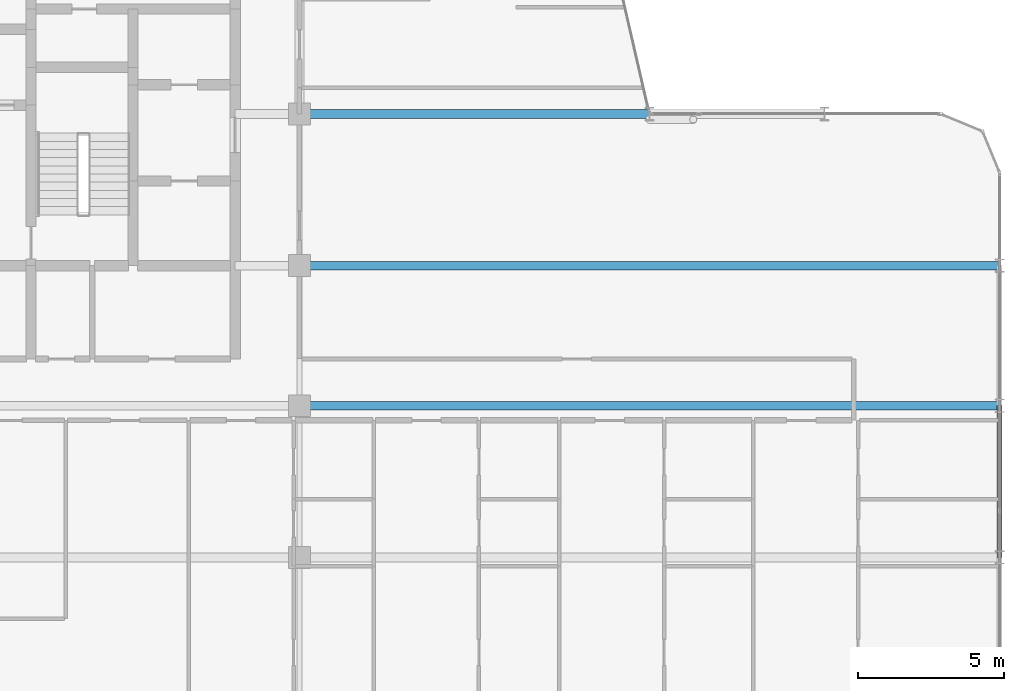
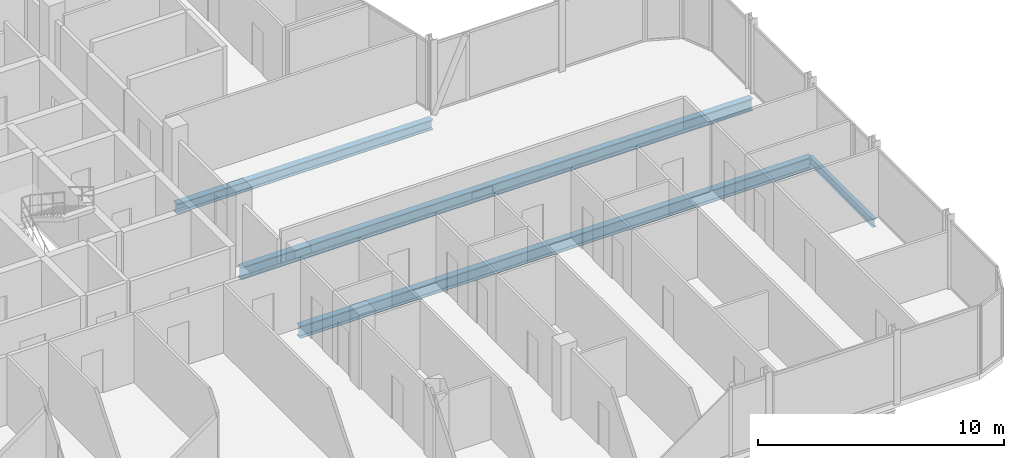
# One storey, part 13 of 29: 4 beams.
"""IFC4 building model written with IfcOpenShell, lengths in metres."""

import ifcopenshell
import ifcopenshell.guid

model = None  # the IFC model being written
_history = None  # IfcOwnerHistory: only IFC2X3 demands one
_inside = {}  # id of a spatial element -> (the spatial element, [elements in it])
_under = {}  # id of a project, library or spatial element -> (it, [spatial elements below it])
_declared = {}  # id of a project -> (the project, [libraries it declares])
_typed = {}  # id of a type object -> (the type object, [elements of that type])
_made_of = {}  # id of a material, layer set ... -> (it, [elements and type objects made of it])


def new_model(schema):
    """Start an empty IFC model of exactly this schema.

    Asked for "IFC4X3", IfcOpenShell would pick the latest addendum, in which some entities
    have other attributes; the version numbers below select the first issue.
    IFC2X3 requires an IfcOwnerHistory on every rooted entity: one is made here for all.
    """
    global model, _history
    if schema == "IFC4X3":
        model = ifcopenshell.file(schema_version=(4, 3, 0, 0))
    else:
        model = ifcopenshell.file(schema=schema)
    _inside.clear()
    _under.clear()
    _declared.clear()
    _typed.clear()
    _made_of.clear()
    _history = None
    if model.schema == "IFC2X3":
        org = make("IfcOrganization", Name="unknown")
        user = make(
            "IfcPersonAndOrganization",
            ThePerson=make("IfcPerson", FamilyName="unknown"),
            TheOrganization=org,
        )
        app = make(
            "IfcApplication",
            ApplicationDeveloper=org,
            Version="unknown",
            ApplicationFullName="unknown",
            ApplicationIdentifier="unknown",
        )
        _history = make(
            "IfcOwnerHistory",
            OwningUser=user,
            OwningApplication=app,
            ChangeAction="ADDED",
            CreationDate=0,
        )
    return model


def make(cls, **values):
    """One entity of the class cls with the attributes given. An attribute that is None is left unset."""
    return model.create_entity(
        cls, **{name: value for name, value in values.items() if value is not None}
    )


def rooted(cls, **values):
    """An entity with a GlobalId (a new one), such as an element, a storey or a relation."""
    return make(cls, GlobalId=ifcopenshell.guid.new(), OwnerHistory=_history, **values)


def si_unit(unit_type, name, prefix=None):
    """IfcSIUnit, for example si_unit("LENGTHUNIT", "METRE", prefix="MILLI")."""
    return make("IfcSIUnit", UnitType=unit_type, Prefix=prefix, Name=name)


def assignment(units):
    """IfcUnitAssignment: the units of a project."""
    return None if units is None else make("IfcUnitAssignment", Units=units)


def point(xyz):
    """IfcCartesianPoint."""
    return None if xyz is None else make("IfcCartesianPoint", Coordinates=xyz)


def direction(xyz):
    """IfcDirection."""
    return None if xyz is None else make("IfcDirection", DirectionRatios=xyz)


def frame(location, z_axis=None, x_axis=None):
    """IfcAxis2Placement3D, a coordinate frame: its origin and axes. An axis left out is left unset."""
    return make(
        "IfcAxis2Placement3D",
        Location=point(location),
        Axis=direction(z_axis),
        RefDirection=direction(x_axis),
    )


def frame_2d(location, x_axis=None):
    """IfcAxis2Placement2D, a coordinate frame in the plane: its origin and x axis."""
    return make(
        "IfcAxis2Placement2D", Location=point(location), RefDirection=direction(x_axis)
    )


def origin():
    """The frame at (0, 0, 0) with its axes left unset."""
    return frame((0.0, 0.0, 0.0))


def origin_2d():
    """The frame at (0, 0) in the plane with its x axis left unset."""
    return frame_2d((0.0, 0.0))


def place(relative_to, where):
    """IfcLocalPlacement: puts the frame where relative to a parent placement (None: the world)."""
    return make(
        "IfcLocalPlacement", PlacementRelTo=relative_to, RelativePlacement=where
    )


def context(
    kind, dimensions, precision=None, world=None, true_north=None, identifier=None
):
    """IfcGeometricRepresentationContext, for example the 3D "Model" context."""
    return make(
        "IfcGeometricRepresentationContext",
        ContextIdentifier=identifier,
        ContextType=kind,
        CoordinateSpaceDimension=dimensions,
        Precision=precision,
        WorldCoordinateSystem=world,
        TrueNorth=true_north,
    )


def subcontext(parent, identifier, kind, view, scale=None):
    """IfcGeometricRepresentationSubContext, for example "Body" below "Model"."""
    return make(
        "IfcGeometricRepresentationSubContext",
        ContextIdentifier=identifier,
        ContextType=kind,
        ParentContext=parent,
        TargetScale=scale,
        TargetView=view,
    )


def project(units=None, contexts=None):
    """IfcProject with its units and contexts."""
    return rooted(
        "IfcProject",
        Name="project",
        RepresentationContexts=contexts,
        UnitsInContext=assignment(units),
    )


def spatial(cls, under=None, at=None, **own):
    """A site, building, storey or space (cls), placed at a placement, below another one or the project."""
    s = rooted(cls, ObjectPlacement=at, **own)
    if under is not None:
        _under.setdefault(under.id(), (under, []))[1].append(s)
    return s


def profile(cls, at=None, kind="AREA", **sizes):
    """A parametric profile (cls). Its sizes go by their IFC names, for example OverallWidth=200.0."""
    return make(cls, ProfileType=kind, Position=at, **sizes)


def i_section(**sizes):
    """IfcIShapeProfileDef."""
    return profile("IfcIShapeProfileDef", **sizes)


def extrude(swept, where, along, depth):
    """IfcExtrudedAreaSolid: the profile swept, set in the frame where, extruded along a direction by depth."""
    return make(
        "IfcExtrudedAreaSolid",
        SweptArea=swept,
        Position=where,
        ExtrudedDirection=direction(along),
        Depth=depth,
    )


def shape(context_of_items, identifier, shape_type, items):
    """IfcShapeRepresentation: the items that make up one representation, for example the "Body"."""
    return make(
        "IfcShapeRepresentation",
        ContextOfItems=context_of_items,
        RepresentationIdentifier=identifier,
        RepresentationType=shape_type,
        Items=items,
    )


def material(Name=None, Category=None):
    """IfcMaterial."""
    return make("IfcMaterial", Name=Name, Category=Category)


def material_profile(
    of_material, cross_section, Name=None, Category=None, Priority=None
):
    """IfcMaterialProfile: a cross section and its material."""
    return make(
        "IfcMaterialProfile",
        Name=Name,
        Material=of_material,
        Profile=cross_section,
        Priority=Priority,
        Category=Category,
    )


def profile_set(profiles, Name=None, composite=None):
    """IfcMaterialProfileSet."""
    return make(
        "IfcMaterialProfileSet",
        Name=Name,
        MaterialProfiles=profiles,
        CompositeProfile=composite,
    )


def made_of(thing, what):
    """Note that an element or type object is made of a material, layer set ...; save() writes the relation."""
    if what is not None:
        _made_of.setdefault(what.id(), (what, []))[1].append(thing)
    return thing


def type_object(cls, material=None, **own):
    """A type object (cls), such as IfcWallType, which elements share."""
    return made_of(rooted(cls, **own), material)


def element(
    cls,
    number,
    at=None,
    inside=None,
    cuts=None,
    type_object=None,
    material=None,
    context=None,
    identifier="Body",
    shape_type=None,
    held_by="IfcProductDefinitionShape",
    body=None,
    shapes=None,
    **own,
):
    """One element of the class cls, such as IfcWall. Its Tag is "e" and its number.

    at: its placement. inside: the storey or other place that contains it. cuts: it is an
    opening in that element (IfcRelVoidsElement). A single representation is given by context,
    identifier, shape_type and body (its items); several are given by shapes. held_by: the class
    of the entity that holds the representations. save() writes the other relations.
    """
    e = rooted(cls, Tag="e%d" % number, ObjectPlacement=at, **own)
    if body is not None:
        shapes = [shape(context, identifier, shape_type, body)]
    if shapes is not None:
        e.Representation = make(held_by, Representations=shapes)
    if inside is not None:
        _inside.setdefault(inside.id(), (inside, []))[1].append(e)
    if cuts is not None:
        rooted(
            "IfcRelVoidsElement", RelatingBuildingElement=cuts, RelatedOpeningElement=e
        )
    if type_object is not None:
        _typed.setdefault(type_object.id(), (type_object, []))[1].append(e)
    return made_of(e, material)


def aggregate(whole, parts):
    """IfcRelAggregates: a whole, such as a stair, and the parts it consists of."""
    return rooted("IfcRelAggregates", RelatingObject=whole, RelatedObjects=parts)


def save(model, path):
    """Write the relations noted so far, then the file.

    IfcRelAggregates (storeys below a building ...), IfcRelContainedInSpatialStructure (elements
    in a storey), IfcRelDefinesByType, IfcRelAssociatesMaterial and IfcRelDeclares: one each for
    every whole, place, type object, material and project.
    """
    for whole, parts in _under.values():
        aggregate(whole, parts)
    for where, things in _inside.values():
        rooted(
            "IfcRelContainedInSpatialStructure",
            RelatedElements=things,
            RelatingStructure=where,
        )
    for kind, things in _typed.values():
        rooted("IfcRelDefinesByType", RelatedObjects=things, RelatingType=kind)
    for what, things in _made_of.values():
        rooted("IfcRelAssociatesMaterial", RelatedObjects=things, RelatingMaterial=what)
    for by, libraries in _declared.values():
        rooted("IfcRelDeclares", RelatingContext=by, RelatedDefinitions=libraries)
    model.write(path)


model = new_model("IFC4")

# Units and contexts
model_context = context("Model", 3, precision=1e-05, world=origin(), true_north=direction((0.0, 1.0)))
body_context = subcontext(model_context, "Body", "Model", "MODEL_VIEW")
ifc_project = project(units=[si_unit("LENGTHUNIT", "METRE"), si_unit("AREAUNIT", "SQUARE_METRE"), si_unit("VOLUMEUNIT", "CUBIC_METRE"), si_unit("PLANEANGLEUNIT", "RADIAN"), si_unit("MASSUNIT", "GRAM", prefix="KILO")], contexts=[model_context])

# Site, building, storey
site_placement = place(None, origin())
site = spatial("IfcSite", under=ifc_project, at=site_placement, CompositionType="ELEMENT")
building_placement = place(site_placement, origin())
building = spatial("IfcBuilding", under=site, at=building_placement, Name="Keshet Zoharim Tower", CompositionType="ELEMENT")
storey_placement = place(building_placement, frame((0.0, 0.0, 222.800048828125)))
storey = spatial("IfcBuildingStorey", under=building, at=storey_placement, Name="L55", CompositionType="ELEMENT", Elevation=222.800048828125)

# Beams
ifc_material = material(Name="Steel S355", Category="steel")
ifc_material_profile_1 = material_profile(ifc_material, i_section(OverallWidth=0.300048828125, OverallDepth=0.60009765625, WebThickness=0.015380859375, FlangeThickness=0.030029296875, FilletRadius=0.027099609375, at=origin_2d()), Name="HEB600")
ifc_profile_set_1 = profile_set([ifc_material_profile_1], Name="Steel S355")
beam_type_1 = type_object("IfcBeamType", Name="BM-LNG-HB600", PredefinedType="BEAM", material=ifc_profile_set_1)
for number, where, z_axis, x_axis, name in (
    (1, (33.0, 17.89990234375, -0.610107421875), (1.0, 0.0, 0.0), (0.0, 1.0, 0.0), "L55 Primary Girder X-013"),
    (2, (33.0, 22.699951171875, -0.610107421875), (1.0, 0.0, 0.0), (0.0, 1.0, 0.0), "L55 Primary Girder X-014"),
):
    element("IfcBeam", number, at=place(storey_placement, frame(where, z_axis=z_axis, x_axis=x_axis)), inside=storey, type_object=beam_type_1, Name=name, PredefinedType="BEAM", context=body_context, shape_type="SweptSolid", body=[
        extrude(i_section(OverallWidth=0.300048828125, OverallDepth=0.60009765625, WebThickness=0.015380859375, FlangeThickness=0.030029296875, FilletRadius=0.027099609375, at=origin_2d()), origin(), (0.0, 0.0, 1.0), 24.0),
    ])
ifc_material_profile_2 = material_profile(ifc_material, i_section(OverallWidth=0.300048828125, OverallDepth=0.5, WebThickness=0.014404296875, FlangeThickness=0.028076171875, FilletRadius=0.027099609375, at=origin_2d()), Name="HEB500")
ifc_profile_set_2 = profile_set([ifc_material_profile_2], Name="Steel S355")
beam_type_2 = type_object("IfcBeamType", Name="BM-MED-HB500", PredefinedType="BEAM", material=ifc_profile_set_2)
beam_1_placement = place(storey_placement, frame((33.0, 27.89990234375, -0.56005859375), z_axis=(1.0, 0.0, 0.0), x_axis=(0.0, 1.0, 0.0)))
element("IfcBeam", 3, at=beam_1_placement, inside=storey, type_object=beam_type_2, Name="L55 Primary Girder X-015", PredefinedType="BEAM", context=body_context, shape_type="SweptSolid", body=[
    extrude(i_section(OverallWidth=0.300048828125, OverallDepth=0.5, WebThickness=0.014404296875, FlangeThickness=0.028076171875, FilletRadius=0.027099609375, at=origin_2d()), origin(), (0.0, 0.0, 1.0), 12.0),
])
ifc_material_profile_3 = material_profile(ifc_material, i_section(OverallWidth=0.179931640625, OverallDepth=0.39990234375, WebThickness=0.008544921875, FlangeThickness=0.013427734375, FilletRadius=0.02099609375, at=origin_2d()), Name="IPE400")
ifc_profile_set_3 = profile_set([ifc_material_profile_3], Name="Steel S355")
beam_type_3 = type_object("IfcBeamType", Name="BM-PRI-IP400", PredefinedType="BEAM", material=ifc_profile_set_3)
beam_2_placement = place(storey_placement, frame((57.0, 12.699951171875, -0.510009765625), z_axis=(0.0, 1.0, 0.0), x_axis=(-1.0, 0.0, 0.0)))
element("IfcBeam", 4, at=beam_2_placement, inside=storey, type_object=beam_type_3, Name="L55 Primary Girder Y-014", PredefinedType="BEAM", context=body_context, shape_type="SweptSolid", body=[
    extrude(i_section(OverallWidth=0.179931640625, OverallDepth=0.39990234375, WebThickness=0.008544921875, FlangeThickness=0.013427734375, FilletRadius=0.02099609375, at=origin_2d()), origin(), (0.0, 0.0, 1.0), 5.199951171875),
])

save(model, "model.ifc")
